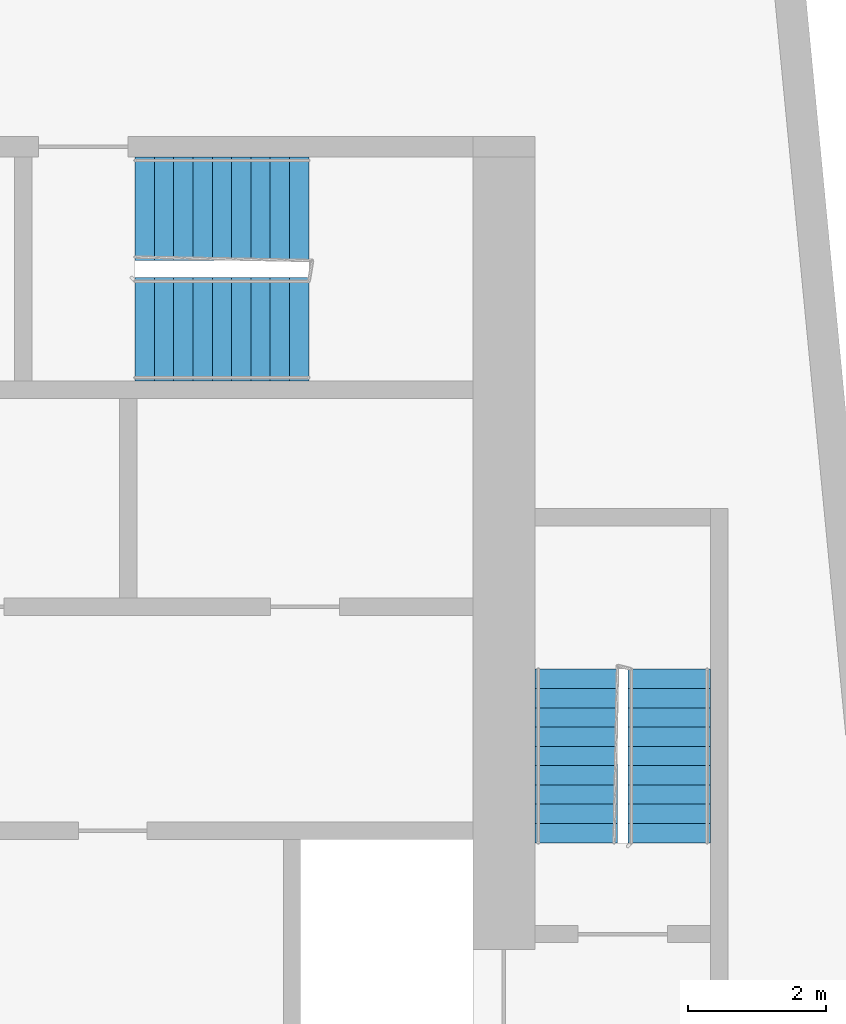
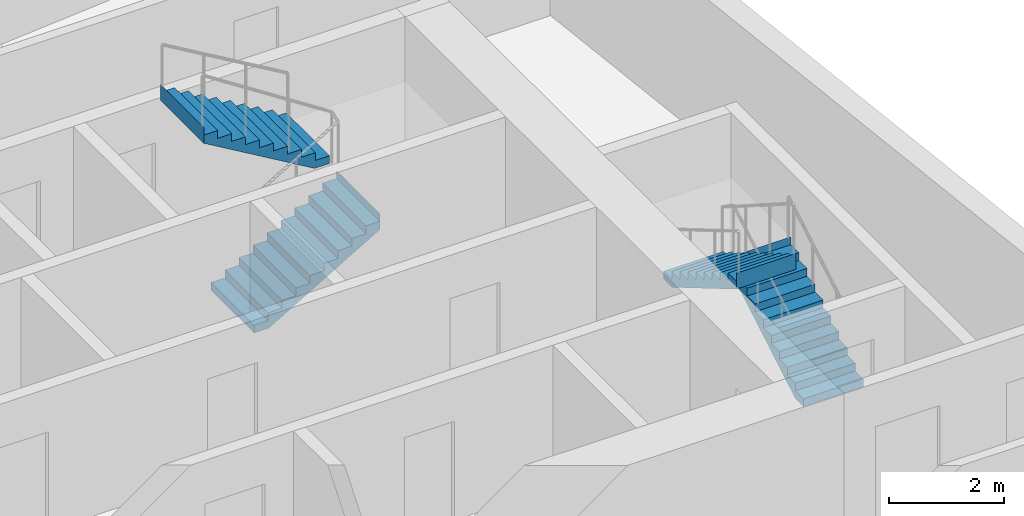
# One storey, part 10 of 11: 4 stair flights, 2 elements without a shape of their own.
"""IFC4 building model written with IfcOpenShell, lengths in metres."""

from ifc_helpers import new_model, si_unit, direction, frame, origin, place, context, subcontext, project, spatial, faceted_brep, material, type_object, element, aggregate, save


model = new_model("IFC4")

# Units and contexts
model_context = context("Model", 3, precision=1e-05, world=origin(), true_north=direction((0.0, 1.0)))
body_context = subcontext(model_context, "Body", "Model", "MODEL_VIEW")
ifc_project = project(units=[si_unit("LENGTHUNIT", "METRE"), si_unit("AREAUNIT", "SQUARE_METRE"), si_unit("VOLUMEUNIT", "CUBIC_METRE"), si_unit("PLANEANGLEUNIT", "RADIAN"), si_unit("MASSUNIT", "GRAM", prefix="KILO")], contexts=[model_context])

# Site, building, storey
site_placement = place(None, origin())
site = spatial("IfcSite", under=ifc_project, at=site_placement, CompositionType="ELEMENT")
building_placement = place(site_placement, origin())
building = spatial("IfcBuilding", under=site, at=building_placement, Name="Kajstack Hotel Tower", CompositionType="ELEMENT")
storey_placement = place(building_placement, frame((0.0, 0.0, 271.800048828125)))
storey = spatial("IfcBuildingStorey", under=building, at=storey_placement, Name="L67", CompositionType="ELEMENT", Elevation=271.800048828125)

# Stair, stair flights
ifc_material = material(Name="Concrete C40/50", Category="concrete")
stair_type_1 = type_object("IfcStairType", Name="Exit stair 1200", PredefinedType="HALF_TURN_STAIR", material=ifc_material)
stair_1_placement = place(storey_placement, origin())
stair_1 = element("IfcStair", 1, at=stair_1_placement, inside=storey, type_object=stair_type_1, Name="L67 stair E1", PredefinedType="HALF_TURN_STAIR")
stair_flight_type_1 = type_object("IfcStairFlightType", Name="Exit stair flight 1200", PredefinedType="STRAIGHT", material=ifc_material)
stair_flight_1_placement = place(storey_placement, frame((33.449951171875, 5.25, 0.0), z_axis=(0.0, 0.0, 1.0), x_axis=(0.0, 1.0, 0.0)))
stair_flight_1 = element("IfcStairFlight", 2, at=stair_flight_1_placement, type_object=stair_flight_type_1, Name="E1 flight 1", NumberOfRisers=10, NumberOfTreads=9, PredefinedType="STRAIGHT", RiserHeight=0.165, TreadLength=0.28, context=body_context, shape_type="Brep", body=[
    faceted_brep([(0.295654296875, -0.60009765625, 0.0), (2.5205078125, -0.60009765625, 1.31103515625), (2.5205078125, -0.60009765625, 1.64990234375), (2.52001953125, -0.60009765625, 1.64990234375), (2.52001953125, -0.60009765625, 1.485107421875), (2.239990234375, -0.60009765625, 1.485107421875), (2.239990234375, -0.60009765625, 1.320068359375), (1.9599609375, -0.60009765625, 1.320068359375), (1.9599609375, -0.60009765625, 1.155029296875), (1.679931640625, -0.60009765625, 1.155029296875), (1.679931640625, -0.60009765625, 0.989990234375), (1.39990234375, -0.60009765625, 0.989990234375), (1.39990234375, -0.60009765625, 0.824951171875), (1.1201171875, -0.60009765625, 0.824951171875), (1.1201171875, -0.60009765625, 0.659912109375), (0.840087890625, -0.60009765625, 0.659912109375), (0.840087890625, -0.60009765625, 0.4951171875), (0.56005859375, -0.60009765625, 0.4951171875), (0.56005859375, -0.60009765625, 0.330078125), (0.280029296875, -0.60009765625, 0.330078125), (0.280029296875, -0.60009765625, 0.1650390625), (-0.00048828125, -0.60009765625, 0.1650390625), (-0.00048828125, -0.60009765625, 0.0), (-0.00048828125, 0.60009765625, 0.0), (-0.00048828125, 0.60009765625, 0.1650390625), (0.280029296875, 0.60009765625, 0.1650390625), (0.280029296875, 0.60009765625, 0.330078125), (0.56005859375, 0.60009765625, 0.330078125), (0.56005859375, 0.60009765625, 0.4951171875), (0.840087890625, 0.60009765625, 0.4951171875), (0.840087890625, 0.60009765625, 0.659912109375), (1.1201171875, 0.60009765625, 0.659912109375), (1.1201171875, 0.60009765625, 0.824951171875), (1.39990234375, 0.60009765625, 0.824951171875), (1.39990234375, 0.60009765625, 0.989990234375), (1.679931640625, 0.60009765625, 0.989990234375), (1.679931640625, 0.60009765625, 1.155029296875), (1.9599609375, 0.60009765625, 1.155029296875), (1.9599609375, 0.60009765625, 1.320068359375), (2.239990234375, 0.60009765625, 1.320068359375), (2.239990234375, 0.60009765625, 1.485107421875), (2.52001953125, 0.60009765625, 1.485107421875), (2.52001953125, 0.60009765625, 1.64990234375), (2.5205078125, 0.60009765625, 1.64990234375), (2.5205078125, 0.60009765625, 1.31103515625), (0.295654296875, 0.60009765625, 0.0), (-0.00048828125, -0.300048828125, 0.1650390625), (-0.00048828125, 0.0, 0.1650390625), (-0.00048828125, 0.300048828125, 0.1650390625), (-0.00048828125, 0.300048828125, 0.0), (-0.00048828125, 0.0, 0.0), (-0.00048828125, -0.300048828125, 0.0), (0.280029296875, -0.300048828125, 0.1650390625), (0.280029296875, 0.0, 0.1650390625), (0.280029296875, 0.300048828125, 0.1650390625), (0.280029296875, -0.300048828125, 0.330078125), (0.280029296875, 0.0, 0.330078125), (0.280029296875, 0.300048828125, 0.330078125), (0.56005859375, -0.300048828125, 0.330078125), (0.56005859375, 0.0, 0.330078125), (0.56005859375, 0.300048828125, 0.330078125), (0.56005859375, -0.300048828125, 0.4951171875), (0.56005859375, 0.0, 0.4951171875), (0.56005859375, 0.300048828125, 0.4951171875), (0.840087890625, -0.300048828125, 0.4951171875), (0.840087890625, 0.0, 0.4951171875), (0.840087890625, 0.300048828125, 0.4951171875), (0.840087890625, -0.300048828125, 0.659912109375), (0.840087890625, 0.0, 0.659912109375), (0.840087890625, 0.300048828125, 0.659912109375), (1.1201171875, -0.300048828125, 0.659912109375), (1.1201171875, 0.0, 0.659912109375), (1.1201171875, 0.300048828125, 0.659912109375), (1.1201171875, -0.300048828125, 0.824951171875), (1.1201171875, 0.0, 0.824951171875), (1.1201171875, 0.300048828125, 0.824951171875), (1.39990234375, -0.300048828125, 0.824951171875), (1.39990234375, 0.0, 0.824951171875), (1.39990234375, 0.300048828125, 0.824951171875), (1.39990234375, -0.300048828125, 0.989990234375), (1.39990234375, 0.0, 0.989990234375), (1.39990234375, 0.300048828125, 0.989990234375), (1.679931640625, -0.300048828125, 0.989990234375), (1.679931640625, 0.0, 0.989990234375), (1.679931640625, 0.300048828125, 0.989990234375), (1.679931640625, -0.300048828125, 1.155029296875), (1.679931640625, 0.0, 1.155029296875), (1.679931640625, 0.300048828125, 1.155029296875), (1.9599609375, -0.300048828125, 1.155029296875), (1.9599609375, 0.0, 1.155029296875), (1.9599609375, 0.300048828125, 1.155029296875), (1.9599609375, -0.300048828125, 1.320068359375), (1.9599609375, 0.0, 1.320068359375), (1.9599609375, 0.300048828125, 1.320068359375), (2.239990234375, -0.300048828125, 1.320068359375), (2.239990234375, 0.0, 1.320068359375), (2.239990234375, 0.300048828125, 1.320068359375), (2.239990234375, -0.300048828125, 1.485107421875), (2.239990234375, 0.0, 1.485107421875), (2.239990234375, 0.300048828125, 1.485107421875), (2.52001953125, -0.300048828125, 1.485107421875), (2.52001953125, 0.0, 1.485107421875), (2.52001953125, 0.300048828125, 1.485107421875), (2.52001953125, -0.300048828125, 1.64990234375), (2.52001953125, 0.0, 1.64990234375), (2.52001953125, 0.300048828125, 1.64990234375), (2.5205078125, -0.300048828125, 1.64990234375), (2.5205078125, 0.0, 1.64990234375), (2.5205078125, 0.300048828125, 1.64990234375), (2.5205078125, -0.300048828125, 1.31103515625), (2.5205078125, 0.0, 1.31103515625), (2.5205078125, 0.300048828125, 1.31103515625), (0.295654296875, -0.300048828125, 0.0), (0.295654296875, 0.0, 0.0), (0.295654296875, 0.300048828125, 0.0)], [[[0, 1, 2, 3, 4, 5, 6, 7, 8, 9, 10, 11, 12, 13, 14, 15, 16, 17, 18, 19, 20, 21, 22]], [[23, 24, 25, 26, 27, 28, 29, 30, 31, 32, 33, 34, 35, 36, 37, 38, 39, 40, 41, 42, 43, 44, 45]], [[21, 46, 47, 48, 24, 23, 49, 50, 51, 22]], [[20, 52, 53, 54, 25, 24, 48, 47, 46, 21]], [[19, 55, 56, 57, 26, 25, 54, 53, 52, 20]], [[18, 58, 59, 60, 27, 26, 57, 56, 55, 19]], [[17, 61, 62, 63, 28, 27, 60, 59, 58, 18]], [[16, 64, 65, 66, 29, 28, 63, 62, 61, 17]], [[15, 67, 68, 69, 30, 29, 66, 65, 64, 16]], [[14, 70, 71, 72, 31, 30, 69, 68, 67, 15]], [[13, 73, 74, 75, 32, 31, 72, 71, 70, 14]], [[12, 76, 77, 78, 33, 32, 75, 74, 73, 13]], [[11, 79, 80, 81, 34, 33, 78, 77, 76, 12]], [[10, 82, 83, 84, 35, 34, 81, 80, 79, 11]], [[9, 85, 86, 87, 36, 35, 84, 83, 82, 10]], [[8, 88, 89, 90, 37, 36, 87, 86, 85, 9]], [[7, 91, 92, 93, 38, 37, 90, 89, 88, 8]], [[6, 94, 95, 96, 39, 38, 93, 92, 91, 7]], [[5, 97, 98, 99, 40, 39, 96, 95, 94, 6]], [[4, 100, 101, 102, 41, 40, 99, 98, 97, 5]], [[3, 103, 104, 105, 42, 41, 102, 101, 100, 4]], [[2, 106, 107, 108, 43, 42, 105, 104, 103, 3]], [[1, 109, 110, 111, 44, 43, 108, 107, 106, 2]], [[0, 112, 113, 114, 45, 44, 111, 110, 109, 1]], [[22, 51, 50, 49, 23, 45, 114, 113, 112, 0]]]),
])
stair_flight_2_placement = place(storey_placement, frame((32.10009765625, 7.77001953125, 1.64990234375), z_axis=(0.0, 0.0, 1.0), x_axis=(0.0, -1.0, 0.0)))
stair_flight_2 = element("IfcStairFlight", 3, at=stair_flight_2_placement, type_object=stair_flight_type_1, Name="E1 flight 2", NumberOfRisers=10, NumberOfTreads=9, PredefinedType="STRAIGHT", RiserHeight=0.165, TreadLength=0.28, context=body_context, shape_type="Brep", body=[
    faceted_brep([(0.295654296875, -0.60009765625, 0.0), (2.5205078125, -0.60009765625, 1.31103515625), (2.5205078125, -0.60009765625, 1.64990234375), (2.52001953125, -0.60009765625, 1.64990234375), (2.52001953125, -0.60009765625, 1.485107421875), (2.239990234375, -0.60009765625, 1.485107421875), (2.239990234375, -0.60009765625, 1.320068359375), (1.9599609375, -0.60009765625, 1.320068359375), (1.9599609375, -0.60009765625, 1.155029296875), (1.679931640625, -0.60009765625, 1.155029296875), (1.679931640625, -0.60009765625, 0.989990234375), (1.39990234375, -0.60009765625, 0.989990234375), (1.39990234375, -0.60009765625, 0.824951171875), (1.1201171875, -0.60009765625, 0.824951171875), (1.1201171875, -0.60009765625, 0.659912109375), (0.840087890625, -0.60009765625, 0.659912109375), (0.840087890625, -0.60009765625, 0.4951171875), (0.56005859375, -0.60009765625, 0.4951171875), (0.56005859375, -0.60009765625, 0.330078125), (0.280029296875, -0.60009765625, 0.330078125), (0.280029296875, -0.60009765625, 0.1650390625), (-0.00048828125, -0.60009765625, 0.1650390625), (-0.00048828125, -0.60009765625, 0.0), (-0.00048828125, 0.60009765625, 0.0), (-0.00048828125, 0.60009765625, 0.1650390625), (0.280029296875, 0.60009765625, 0.1650390625), (0.280029296875, 0.60009765625, 0.330078125), (0.56005859375, 0.60009765625, 0.330078125), (0.56005859375, 0.60009765625, 0.4951171875), (0.840087890625, 0.60009765625, 0.4951171875), (0.840087890625, 0.60009765625, 0.659912109375), (1.1201171875, 0.60009765625, 0.659912109375), (1.1201171875, 0.60009765625, 0.824951171875), (1.39990234375, 0.60009765625, 0.824951171875), (1.39990234375, 0.60009765625, 0.989990234375), (1.679931640625, 0.60009765625, 0.989990234375), (1.679931640625, 0.60009765625, 1.155029296875), (1.9599609375, 0.60009765625, 1.155029296875), (1.9599609375, 0.60009765625, 1.320068359375), (2.239990234375, 0.60009765625, 1.320068359375), (2.239990234375, 0.60009765625, 1.485107421875), (2.52001953125, 0.60009765625, 1.485107421875), (2.52001953125, 0.60009765625, 1.64990234375), (2.5205078125, 0.60009765625, 1.64990234375), (2.5205078125, 0.60009765625, 1.31103515625), (0.295654296875, 0.60009765625, 0.0), (-0.00048828125, -0.300048828125, 0.1650390625), (-0.00048828125, 0.0, 0.1650390625), (-0.00048828125, 0.300048828125, 0.1650390625), (-0.00048828125, 0.300048828125, 0.0), (-0.00048828125, 0.0, 0.0), (-0.00048828125, -0.300048828125, 0.0), (0.280029296875, -0.300048828125, 0.1650390625), (0.280029296875, 0.0, 0.1650390625), (0.280029296875, 0.300048828125, 0.1650390625), (0.280029296875, -0.300048828125, 0.330078125), (0.280029296875, 0.0, 0.330078125), (0.280029296875, 0.300048828125, 0.330078125), (0.56005859375, -0.300048828125, 0.330078125), (0.56005859375, 0.0, 0.330078125), (0.56005859375, 0.300048828125, 0.330078125), (0.56005859375, -0.300048828125, 0.4951171875), (0.56005859375, 0.0, 0.4951171875), (0.56005859375, 0.300048828125, 0.4951171875), (0.840087890625, -0.300048828125, 0.4951171875), (0.840087890625, 0.0, 0.4951171875), (0.840087890625, 0.300048828125, 0.4951171875), (0.840087890625, -0.300048828125, 0.659912109375), (0.840087890625, 0.0, 0.659912109375), (0.840087890625, 0.300048828125, 0.659912109375), (1.1201171875, -0.300048828125, 0.659912109375), (1.1201171875, 0.0, 0.659912109375), (1.1201171875, 0.300048828125, 0.659912109375), (1.1201171875, -0.300048828125, 0.824951171875), (1.1201171875, 0.0, 0.824951171875), (1.1201171875, 0.300048828125, 0.824951171875), (1.39990234375, -0.300048828125, 0.824951171875), (1.39990234375, 0.0, 0.824951171875), (1.39990234375, 0.300048828125, 0.824951171875), (1.39990234375, -0.300048828125, 0.989990234375), (1.39990234375, 0.0, 0.989990234375), (1.39990234375, 0.300048828125, 0.989990234375), (1.679931640625, -0.300048828125, 0.989990234375), (1.679931640625, 0.0, 0.989990234375), (1.679931640625, 0.300048828125, 0.989990234375), (1.679931640625, -0.300048828125, 1.155029296875), (1.679931640625, 0.0, 1.155029296875), (1.679931640625, 0.300048828125, 1.155029296875), (1.9599609375, -0.300048828125, 1.155029296875), (1.9599609375, 0.0, 1.155029296875), (1.9599609375, 0.300048828125, 1.155029296875), (1.9599609375, -0.300048828125, 1.320068359375), (1.9599609375, 0.0, 1.320068359375), (1.9599609375, 0.300048828125, 1.320068359375), (2.239990234375, -0.300048828125, 1.320068359375), (2.239990234375, 0.0, 1.320068359375), (2.239990234375, 0.300048828125, 1.320068359375), (2.239990234375, -0.300048828125, 1.485107421875), (2.239990234375, 0.0, 1.485107421875), (2.239990234375, 0.300048828125, 1.485107421875), (2.52001953125, -0.300048828125, 1.485107421875), (2.52001953125, 0.0, 1.485107421875), (2.52001953125, 0.300048828125, 1.485107421875), (2.52001953125, -0.300048828125, 1.64990234375), (2.52001953125, 0.0, 1.64990234375), (2.52001953125, 0.300048828125, 1.64990234375), (2.5205078125, -0.300048828125, 1.64990234375), (2.5205078125, 0.0, 1.64990234375), (2.5205078125, 0.300048828125, 1.64990234375), (2.5205078125, -0.300048828125, 1.31103515625), (2.5205078125, 0.0, 1.31103515625), (2.5205078125, 0.300048828125, 1.31103515625), (0.295654296875, -0.300048828125, 0.0), (0.295654296875, 0.0, 0.0), (0.295654296875, 0.300048828125, 0.0)], [[[0, 1, 2, 3, 4, 5, 6, 7, 8, 9, 10, 11, 12, 13, 14, 15, 16, 17, 18, 19, 20, 21, 22]], [[23, 24, 25, 26, 27, 28, 29, 30, 31, 32, 33, 34, 35, 36, 37, 38, 39, 40, 41, 42, 43, 44, 45]], [[21, 46, 47, 48, 24, 23, 49, 50, 51, 22]], [[20, 52, 53, 54, 25, 24, 48, 47, 46, 21]], [[19, 55, 56, 57, 26, 25, 54, 53, 52, 20]], [[18, 58, 59, 60, 27, 26, 57, 56, 55, 19]], [[17, 61, 62, 63, 28, 27, 60, 59, 58, 18]], [[16, 64, 65, 66, 29, 28, 63, 62, 61, 17]], [[15, 67, 68, 69, 30, 29, 66, 65, 64, 16]], [[14, 70, 71, 72, 31, 30, 69, 68, 67, 15]], [[13, 73, 74, 75, 32, 31, 72, 71, 70, 14]], [[12, 76, 77, 78, 33, 32, 75, 74, 73, 13]], [[11, 79, 80, 81, 34, 33, 78, 77, 76, 12]], [[10, 82, 83, 84, 35, 34, 81, 80, 79, 11]], [[9, 85, 86, 87, 36, 35, 84, 83, 82, 10]], [[8, 88, 89, 90, 37, 36, 87, 86, 85, 9]], [[7, 91, 92, 93, 38, 37, 90, 89, 88, 8]], [[6, 94, 95, 96, 39, 38, 93, 92, 91, 7]], [[5, 97, 98, 99, 40, 39, 96, 95, 94, 6]], [[4, 100, 101, 102, 41, 40, 99, 98, 97, 5]], [[3, 103, 104, 105, 42, 41, 102, 101, 100, 4]], [[2, 106, 107, 108, 43, 42, 105, 104, 103, 3]], [[1, 109, 110, 111, 44, 43, 108, 107, 106, 2]], [[0, 112, 113, 114, 45, 44, 111, 110, 109, 1]], [[22, 51, 50, 49, 23, 45, 114, 113, 112, 0]]]),
])
aggregate(stair_1, [stair_flight_1, stair_flight_2])

stair_type_2 = type_object("IfcStairType", Name="Exit stair 1500", PredefinedType="HALF_TURN_STAIR", material=ifc_material)
stair_2_placement = place(storey_placement, origin())
stair_2 = element("IfcStair", 4, at=stair_2_placement, inside=storey, type_object=stair_type_2, Name="L67 stair E3", PredefinedType="HALF_TURN_STAIR")
stair_flight_type_2 = type_object("IfcStairFlightType", Name="Exit stair flight 1500", PredefinedType="STRAIGHT", material=ifc_material)
stair_flight_3_placement = place(storey_placement, frame((25.699951171875, 12.699951171875, 0.0), z_axis=(0.0, 0.0, 1.0), x_axis=(1.0, 0.0, 0.0)))
stair_flight_3 = element("IfcStairFlight", 5, at=stair_flight_3_placement, type_object=stair_flight_type_2, Name="E3 flight 1", NumberOfRisers=10, NumberOfTreads=9, PredefinedType="STRAIGHT", RiserHeight=0.165, TreadLength=0.28, context=body_context, shape_type="Brep", body=[
    faceted_brep([(0.295654296875, -0.75, 0.0), (2.5205078125, -0.75, 1.31103515625), (2.5205078125, -0.75, 1.64990234375), (2.52001953125, -0.75, 1.64990234375), (2.52001953125, -0.75, 1.485107421875), (2.239990234375, -0.75, 1.485107421875), (2.239990234375, -0.75, 1.320068359375), (1.9599609375, -0.75, 1.320068359375), (1.9599609375, -0.75, 1.155029296875), (1.679931640625, -0.75, 1.155029296875), (1.679931640625, -0.75, 0.989990234375), (1.39990234375, -0.75, 0.989990234375), (1.39990234375, -0.75, 0.824951171875), (1.1201171875, -0.75, 0.824951171875), (1.1201171875, -0.75, 0.659912109375), (0.840087890625, -0.75, 0.659912109375), (0.840087890625, -0.75, 0.4951171875), (0.56005859375, -0.75, 0.4951171875), (0.56005859375, -0.75, 0.330078125), (0.280029296875, -0.75, 0.330078125), (0.280029296875, -0.75, 0.1650390625), (-0.00048828125, -0.75, 0.1650390625), (-0.00048828125, -0.75, 0.0), (-0.00048828125, 0.75, 0.0), (-0.00048828125, 0.75, 0.1650390625), (0.280029296875, 0.75, 0.1650390625), (0.280029296875, 0.75, 0.330078125), (0.56005859375, 0.75, 0.330078125), (0.56005859375, 0.75, 0.4951171875), (0.840087890625, 0.75, 0.4951171875), (0.840087890625, 0.75, 0.659912109375), (1.1201171875, 0.75, 0.659912109375), (1.1201171875, 0.75, 0.824951171875), (1.39990234375, 0.75, 0.824951171875), (1.39990234375, 0.75, 0.989990234375), (1.679931640625, 0.75, 0.989990234375), (1.679931640625, 0.75, 1.155029296875), (1.9599609375, 0.75, 1.155029296875), (1.9599609375, 0.75, 1.320068359375), (2.239990234375, 0.75, 1.320068359375), (2.239990234375, 0.75, 1.485107421875), (2.52001953125, 0.75, 1.485107421875), (2.52001953125, 0.75, 1.64990234375), (2.5205078125, 0.75, 1.64990234375), (2.5205078125, 0.75, 1.31103515625), (0.295654296875, 0.75, 0.0), (-0.00048828125, -0.375, 0.1650390625), (-0.00048828125, 0.0, 0.1650390625), (-0.00048828125, 0.375, 0.1650390625), (-0.00048828125, 0.375, 0.0), (-0.00048828125, 0.0, 0.0), (-0.00048828125, -0.375, 0.0), (0.280029296875, -0.375, 0.1650390625), (0.280029296875, 0.0, 0.1650390625), (0.280029296875, 0.375, 0.1650390625), (0.280029296875, -0.375, 0.330078125), (0.280029296875, 0.0, 0.330078125), (0.280029296875, 0.375, 0.330078125), (0.56005859375, -0.375, 0.330078125), (0.56005859375, 0.0, 0.330078125), (0.56005859375, 0.375, 0.330078125), (0.56005859375, -0.375, 0.4951171875), (0.56005859375, 0.0, 0.4951171875), (0.56005859375, 0.375, 0.4951171875), (0.840087890625, -0.375, 0.4951171875), (0.840087890625, 0.0, 0.4951171875), (0.840087890625, 0.375, 0.4951171875), (0.840087890625, -0.375, 0.659912109375), (0.840087890625, 0.0, 0.659912109375), (0.840087890625, 0.375, 0.659912109375), (1.1201171875, -0.375, 0.659912109375), (1.1201171875, 0.0, 0.659912109375), (1.1201171875, 0.375, 0.659912109375), (1.1201171875, -0.375, 0.824951171875), (1.1201171875, 0.0, 0.824951171875), (1.1201171875, 0.375, 0.824951171875), (1.39990234375, -0.375, 0.824951171875), (1.39990234375, 0.0, 0.824951171875), (1.39990234375, 0.375, 0.824951171875), (1.39990234375, -0.375, 0.989990234375), (1.39990234375, 0.0, 0.989990234375), (1.39990234375, 0.375, 0.989990234375), (1.679931640625, -0.375, 0.989990234375), (1.679931640625, 0.0, 0.989990234375), (1.679931640625, 0.375, 0.989990234375), (1.679931640625, -0.375, 1.155029296875), (1.679931640625, 0.0, 1.155029296875), (1.679931640625, 0.375, 1.155029296875), (1.9599609375, -0.375, 1.155029296875), (1.9599609375, 0.0, 1.155029296875), (1.9599609375, 0.375, 1.155029296875), (1.9599609375, -0.375, 1.320068359375), (1.9599609375, 0.0, 1.320068359375), (1.9599609375, 0.375, 1.320068359375), (2.239990234375, -0.375, 1.320068359375), (2.239990234375, 0.0, 1.320068359375), (2.239990234375, 0.375, 1.320068359375), (2.239990234375, -0.375, 1.485107421875), (2.239990234375, 0.0, 1.485107421875), (2.239990234375, 0.375, 1.485107421875), (2.52001953125, -0.375, 1.485107421875), (2.52001953125, 0.0, 1.485107421875), (2.52001953125, 0.375, 1.485107421875), (2.52001953125, -0.375, 1.64990234375), (2.52001953125, 0.0, 1.64990234375), (2.52001953125, 0.375, 1.64990234375), (2.5205078125, -0.375, 1.64990234375), (2.5205078125, 0.0, 1.64990234375), (2.5205078125, 0.375, 1.64990234375), (2.5205078125, -0.375, 1.31103515625), (2.5205078125, 0.0, 1.31103515625), (2.5205078125, 0.375, 1.31103515625), (0.295654296875, -0.375, 0.0), (0.295654296875, 0.0, 0.0), (0.295654296875, 0.375, 0.0)], [[[0, 1, 2, 3, 4, 5, 6, 7, 8, 9, 10, 11, 12, 13, 14, 15, 16, 17, 18, 19, 20, 21, 22]], [[23, 24, 25, 26, 27, 28, 29, 30, 31, 32, 33, 34, 35, 36, 37, 38, 39, 40, 41, 42, 43, 44, 45]], [[21, 46, 47, 48, 24, 23, 49, 50, 51, 22]], [[20, 52, 53, 54, 25, 24, 48, 47, 46, 21]], [[19, 55, 56, 57, 26, 25, 54, 53, 52, 20]], [[18, 58, 59, 60, 27, 26, 57, 56, 55, 19]], [[17, 61, 62, 63, 28, 27, 60, 59, 58, 18]], [[16, 64, 65, 66, 29, 28, 63, 62, 61, 17]], [[15, 67, 68, 69, 30, 29, 66, 65, 64, 16]], [[14, 70, 71, 72, 31, 30, 69, 68, 67, 15]], [[13, 73, 74, 75, 32, 31, 72, 71, 70, 14]], [[12, 76, 77, 78, 33, 32, 75, 74, 73, 13]], [[11, 79, 80, 81, 34, 33, 78, 77, 76, 12]], [[10, 82, 83, 84, 35, 34, 81, 80, 79, 11]], [[9, 85, 86, 87, 36, 35, 84, 83, 82, 10]], [[8, 88, 89, 90, 37, 36, 87, 86, 85, 9]], [[7, 91, 92, 93, 38, 37, 90, 89, 88, 8]], [[6, 94, 95, 96, 39, 38, 93, 92, 91, 7]], [[5, 97, 98, 99, 40, 39, 96, 95, 94, 6]], [[4, 100, 101, 102, 41, 40, 99, 98, 97, 5]], [[3, 103, 104, 105, 42, 41, 102, 101, 100, 4]], [[2, 106, 107, 108, 43, 42, 105, 104, 103, 3]], [[1, 109, 110, 111, 44, 43, 108, 107, 106, 2]], [[0, 112, 113, 114, 45, 44, 111, 110, 109, 1]], [[22, 51, 50, 49, 23, 45, 114, 113, 112, 0]]]),
])
stair_flight_4_placement = place(storey_placement, frame((28.219970703125, 14.449951171875, 1.64990234375), z_axis=(0.0, 0.0, 1.0), x_axis=(-1.0, 0.0, 0.0)))
stair_flight_4 = element("IfcStairFlight", 6, at=stair_flight_4_placement, type_object=stair_flight_type_2, Name="E3 flight 2", NumberOfRisers=10, NumberOfTreads=9, PredefinedType="STRAIGHT", RiserHeight=0.165, TreadLength=0.28, context=body_context, shape_type="Brep", body=[
    faceted_brep([(0.295654296875, -0.75, 0.0), (2.5205078125, -0.75, 1.31103515625), (2.5205078125, -0.75, 1.64990234375), (2.52001953125, -0.75, 1.64990234375), (2.52001953125, -0.75, 1.485107421875), (2.239990234375, -0.75, 1.485107421875), (2.239990234375, -0.75, 1.320068359375), (1.9599609375, -0.75, 1.320068359375), (1.9599609375, -0.75, 1.155029296875), (1.679931640625, -0.75, 1.155029296875), (1.679931640625, -0.75, 0.989990234375), (1.39990234375, -0.75, 0.989990234375), (1.39990234375, -0.75, 0.824951171875), (1.1201171875, -0.75, 0.824951171875), (1.1201171875, -0.75, 0.659912109375), (0.840087890625, -0.75, 0.659912109375), (0.840087890625, -0.75, 0.4951171875), (0.56005859375, -0.75, 0.4951171875), (0.56005859375, -0.75, 0.330078125), (0.280029296875, -0.75, 0.330078125), (0.280029296875, -0.75, 0.1650390625), (-0.00048828125, -0.75, 0.1650390625), (-0.00048828125, -0.75, 0.0), (-0.00048828125, 0.75, 0.0), (-0.00048828125, 0.75, 0.1650390625), (0.280029296875, 0.75, 0.1650390625), (0.280029296875, 0.75, 0.330078125), (0.56005859375, 0.75, 0.330078125), (0.56005859375, 0.75, 0.4951171875), (0.840087890625, 0.75, 0.4951171875), (0.840087890625, 0.75, 0.659912109375), (1.1201171875, 0.75, 0.659912109375), (1.1201171875, 0.75, 0.824951171875), (1.39990234375, 0.75, 0.824951171875), (1.39990234375, 0.75, 0.989990234375), (1.679931640625, 0.75, 0.989990234375), (1.679931640625, 0.75, 1.155029296875), (1.9599609375, 0.75, 1.155029296875), (1.9599609375, 0.75, 1.320068359375), (2.239990234375, 0.75, 1.320068359375), (2.239990234375, 0.75, 1.485107421875), (2.52001953125, 0.75, 1.485107421875), (2.52001953125, 0.75, 1.64990234375), (2.5205078125, 0.75, 1.64990234375), (2.5205078125, 0.75, 1.31103515625), (0.295654296875, 0.75, 0.0), (-0.00048828125, -0.375, 0.1650390625), (-0.00048828125, 0.0, 0.1650390625), (-0.00048828125, 0.375, 0.1650390625), (-0.00048828125, 0.375, 0.0), (-0.00048828125, 0.0, 0.0), (-0.00048828125, -0.375, 0.0), (0.280029296875, -0.375, 0.1650390625), (0.280029296875, 0.0, 0.1650390625), (0.280029296875, 0.375, 0.1650390625), (0.280029296875, -0.375, 0.330078125), (0.280029296875, 0.0, 0.330078125), (0.280029296875, 0.375, 0.330078125), (0.56005859375, -0.375, 0.330078125), (0.56005859375, 0.0, 0.330078125), (0.56005859375, 0.375, 0.330078125), (0.56005859375, -0.375, 0.4951171875), (0.56005859375, 0.0, 0.4951171875), (0.56005859375, 0.375, 0.4951171875), (0.840087890625, -0.375, 0.4951171875), (0.840087890625, 0.0, 0.4951171875), (0.840087890625, 0.375, 0.4951171875), (0.840087890625, -0.375, 0.659912109375), (0.840087890625, 0.0, 0.659912109375), (0.840087890625, 0.375, 0.659912109375), (1.1201171875, -0.375, 0.659912109375), (1.1201171875, 0.0, 0.659912109375), (1.1201171875, 0.375, 0.659912109375), (1.1201171875, -0.375, 0.824951171875), (1.1201171875, 0.0, 0.824951171875), (1.1201171875, 0.375, 0.824951171875), (1.39990234375, -0.375, 0.824951171875), (1.39990234375, 0.0, 0.824951171875), (1.39990234375, 0.375, 0.824951171875), (1.39990234375, -0.375, 0.989990234375), (1.39990234375, 0.0, 0.989990234375), (1.39990234375, 0.375, 0.989990234375), (1.679931640625, -0.375, 0.989990234375), (1.679931640625, 0.0, 0.989990234375), (1.679931640625, 0.375, 0.989990234375), (1.679931640625, -0.375, 1.155029296875), (1.679931640625, 0.0, 1.155029296875), (1.679931640625, 0.375, 1.155029296875), (1.9599609375, -0.375, 1.155029296875), (1.9599609375, 0.0, 1.155029296875), (1.9599609375, 0.375, 1.155029296875), (1.9599609375, -0.375, 1.320068359375), (1.9599609375, 0.0, 1.320068359375), (1.9599609375, 0.375, 1.320068359375), (2.239990234375, -0.375, 1.320068359375), (2.239990234375, 0.0, 1.320068359375), (2.239990234375, 0.375, 1.320068359375), (2.239990234375, -0.375, 1.485107421875), (2.239990234375, 0.0, 1.485107421875), (2.239990234375, 0.375, 1.485107421875), (2.52001953125, -0.375, 1.485107421875), (2.52001953125, 0.0, 1.485107421875), (2.52001953125, 0.375, 1.485107421875), (2.52001953125, -0.375, 1.64990234375), (2.52001953125, 0.0, 1.64990234375), (2.52001953125, 0.375, 1.64990234375), (2.5205078125, -0.375, 1.64990234375), (2.5205078125, 0.0, 1.64990234375), (2.5205078125, 0.375, 1.64990234375), (2.5205078125, -0.375, 1.31103515625), (2.5205078125, 0.0, 1.31103515625), (2.5205078125, 0.375, 1.31103515625), (0.295654296875, -0.375, 0.0), (0.295654296875, 0.0, 0.0), (0.295654296875, 0.375, 0.0)], [[[0, 1, 2, 3, 4, 5, 6, 7, 8, 9, 10, 11, 12, 13, 14, 15, 16, 17, 18, 19, 20, 21, 22]], [[23, 24, 25, 26, 27, 28, 29, 30, 31, 32, 33, 34, 35, 36, 37, 38, 39, 40, 41, 42, 43, 44, 45]], [[21, 46, 47, 48, 24, 23, 49, 50, 51, 22]], [[20, 52, 53, 54, 25, 24, 48, 47, 46, 21]], [[19, 55, 56, 57, 26, 25, 54, 53, 52, 20]], [[18, 58, 59, 60, 27, 26, 57, 56, 55, 19]], [[17, 61, 62, 63, 28, 27, 60, 59, 58, 18]], [[16, 64, 65, 66, 29, 28, 63, 62, 61, 17]], [[15, 67, 68, 69, 30, 29, 66, 65, 64, 16]], [[14, 70, 71, 72, 31, 30, 69, 68, 67, 15]], [[13, 73, 74, 75, 32, 31, 72, 71, 70, 14]], [[12, 76, 77, 78, 33, 32, 75, 74, 73, 13]], [[11, 79, 80, 81, 34, 33, 78, 77, 76, 12]], [[10, 82, 83, 84, 35, 34, 81, 80, 79, 11]], [[9, 85, 86, 87, 36, 35, 84, 83, 82, 10]], [[8, 88, 89, 90, 37, 36, 87, 86, 85, 9]], [[7, 91, 92, 93, 38, 37, 90, 89, 88, 8]], [[6, 94, 95, 96, 39, 38, 93, 92, 91, 7]], [[5, 97, 98, 99, 40, 39, 96, 95, 94, 6]], [[4, 100, 101, 102, 41, 40, 99, 98, 97, 5]], [[3, 103, 104, 105, 42, 41, 102, 101, 100, 4]], [[2, 106, 107, 108, 43, 42, 105, 104, 103, 3]], [[1, 109, 110, 111, 44, 43, 108, 107, 106, 2]], [[0, 112, 113, 114, 45, 44, 111, 110, 109, 1]], [[22, 51, 50, 49, 23, 45, 114, 113, 112, 0]]]),
])
aggregate(stair_2, [stair_flight_3, stair_flight_4])

save(model, "model.ifc")
